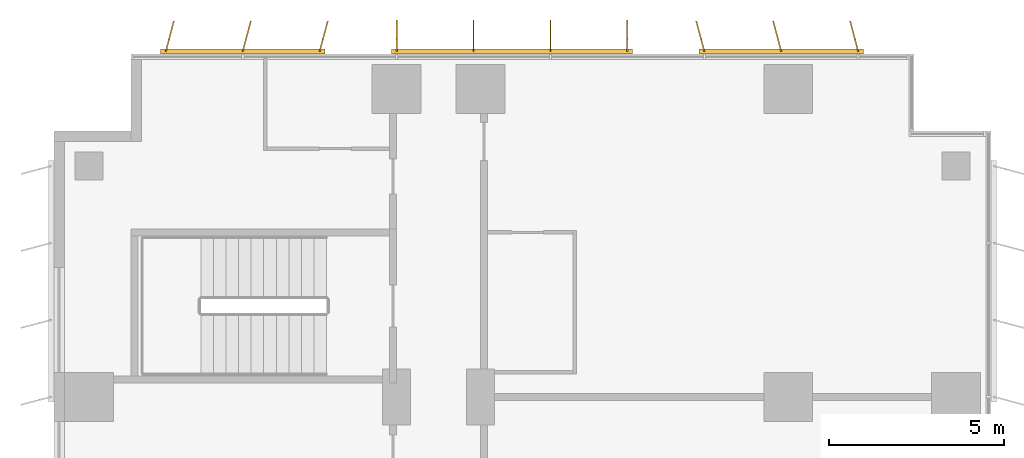
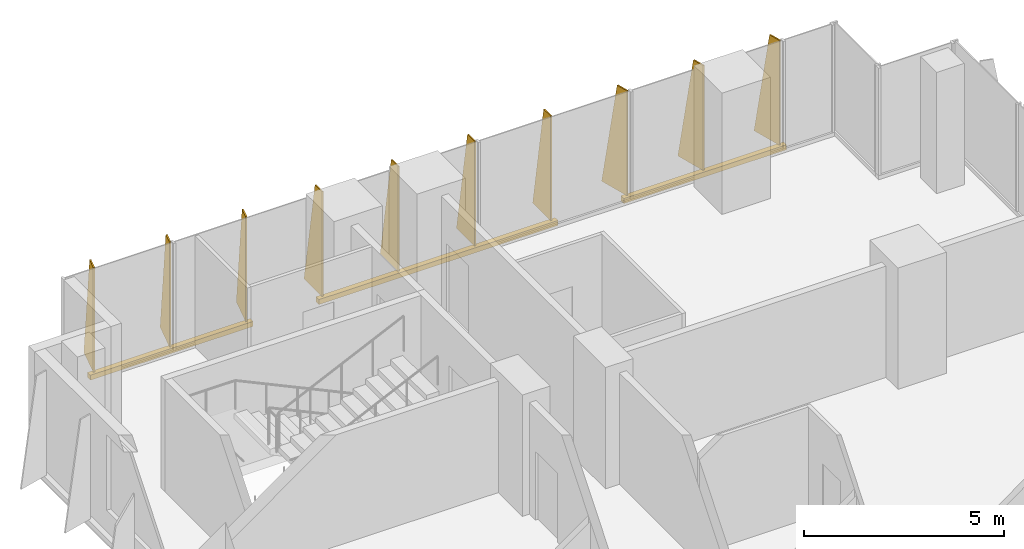
# One storey, part 24 of 24: 3 shading devices.
"""IFC4 building model written with IfcOpenShell, lengths in metres."""

from ifc_helpers import new_model, si_unit, direction, frame, origin, origin_2d, place, context, subcontext, project, spatial, polyline, rectangle, outline, extrude, source, transform, mapped, material, layer, layer_set, type_object, element, save


model = new_model("IFC4")

# Units and contexts
model_context = context("Model", 3, precision=1e-05, world=origin(), true_north=direction((0.0, 1.0)))
body_context = subcontext(model_context, "Body", "Model", "MODEL_VIEW")
ifc_project = project(units=[si_unit("LENGTHUNIT", "METRE"), si_unit("AREAUNIT", "SQUARE_METRE"), si_unit("VOLUMEUNIT", "CUBIC_METRE"), si_unit("PLANEANGLEUNIT", "RADIAN"), si_unit("MASSUNIT", "GRAM", prefix="KILO")], contexts=[model_context])

# Site, building, storey
site_placement = place(None, origin())
site = spatial("IfcSite", under=ifc_project, at=site_placement, CompositionType="ELEMENT")
building_placement = place(site_placement, origin())
building = spatial("IfcBuilding", under=site, at=building_placement, Name="Kemantara Hotel Tower", CompositionType="ELEMENT")
storey_placement = place(building_placement, frame((0.0, 0.0, 45.10009765625)))
storey = spatial("IfcBuildingStorey", under=building, at=storey_placement, Name="L09", CompositionType="ELEMENT", Elevation=45.10009765625)

# Shading devices
ifc_material = material(Name="Perforated aluminium plate 4 mm bronze anodised", Category="aluminium")
ifc_layer_1 = layer(ifc_material, 0.0400390625)
ifc_layer_set_1 = layer_set([ifc_layer_1], Name="Perforated aluminium plate 4 mm bronze anodised")
shading_device_type_1 = type_object("IfcShadingDeviceType", Name="SCREEN FIN CASSETTE, 3 BLADES AT -15.0 DEG, 3200 HIGH", PredefinedType="USERDEFINED", material=ifc_layer_set_1)
shared_shape_1 = source(origin(), body_context, "Body", "SweptSolid", [
    extrude(rectangle(XDim=4.699951171875, YDim=0.14990234375, at=origin_2d()), frame((2.199951171875, -0.074951171875, -0.14990234375), z_axis=(0.0, 0.0, 1.0), x_axis=(1.0, 0.0, 0.0)), (0.0, 0.0, 1.0), 0.14990234375),
    extrude(outline(polyline([(0.0, 0.0), (0.89990234375, 0.0), (0.35009765625, 3.199951171875), (0.0, 3.199951171875), (0.0, 0.0)])), frame((0.019287109375, -0.080078125, 0.0), z_axis=(-0.966437683387, 0.256901156343, 0.0), x_axis=(-0.256901156343, -0.966437683387, 0.0)), (0.0, 0.0, 1.0), 0.039794921875),
    extrude(outline(polyline([(0.0, 0.0), (0.89990234375, 0.0), (0.35009765625, 3.199951171875), (0.0, 3.199951171875), (0.0, 0.0)])), frame((2.21923828125, -0.080078125, 0.0), z_axis=(-0.966437683387, 0.256901156343, 0.0), x_axis=(-0.256901156343, -0.966437683387, 0.0)), (0.0, 0.0, 1.0), 0.039794921875),
    extrude(outline(polyline([(0.0, 0.0), (0.89990234375, 0.0), (0.35009765625, 3.199951171875), (0.0, 3.199951171875), (0.0, 0.0)])), frame((4.41943359375, -0.080078125, 0.0), z_axis=(-0.966837822169, 0.255391122837, 0.0), x_axis=(-0.255391122837, -0.966837822169, 0.0)), (0.0, 0.0, 1.0), 0.0400390625),
])
shading_device_1_placement = place(storey_placement, frame((7.60009765625, 81.199951171875, 0.099853515625), z_axis=(0.0, 0.0, 1.0), x_axis=(-1.0, 0.0, 0.0)))
element("IfcShadingDevice", 1, at=shading_device_1_placement, inside=storey, type_object=shading_device_type_1, Name="SCREEN FIN CASSETTE L09 T1-R11-3", ObjectType="SCREEN FIN", PredefinedType="USERDEFINED", context=body_context, shape_type="MappedRepresentation", body=[
    mapped(shared_shape_1, transform((0.0, 0.0, 0.0))),
])
ifc_layer_2 = layer(ifc_material, 0.0400390625)
ifc_layer_set_2 = layer_set([ifc_layer_2], Name="Perforated aluminium plate 4 mm bronze anodised")
shading_device_type_2 = type_object("IfcShadingDeviceType", Name="SCREEN FIN CASSETTE, 4 BLADES AT +0.0 DEG, 3200 HIGH", PredefinedType="USERDEFINED", material=ifc_layer_set_2)
shared_shape_2 = source(origin(), body_context, "Body", "SweptSolid", [
    extrude(rectangle(XDim=6.89990234375, YDim=0.14990234375, at=origin_2d()), frame((3.300048828125, -0.074951171875, -0.14990234375), z_axis=(0.0, 0.0, 1.0), x_axis=(1.0, 0.0, 0.0)), (0.0, 0.0, 1.0), 0.14990234375),
    extrude(outline(polyline([(0.0, 0.0), (0.89990234375, 0.0), (0.35009765625, 3.199951171875), (0.0, 3.199951171875), (0.0, 0.0)])), frame((0.02001953125, -0.074951171875, 0.0), z_axis=(-1.0, 0.0, 0.0), x_axis=(0.0, -1.0, 0.0)), (0.0, 0.0, 1.0), 0.0400390625),
    extrude(outline(polyline([(0.0, 0.0), (0.89990234375, 0.0), (0.35009765625, 3.199951171875), (0.0, 3.199951171875), (0.0, 0.0)])), frame((2.219970703125, -0.074951171875, 0.0), z_axis=(-1.0, 0.0, 0.0), x_axis=(0.0, -1.0, 0.0)), (0.0, 0.0, 1.0), 0.0400390625),
    extrude(outline(polyline([(0.0, 0.0), (0.89990234375, 0.0), (0.35009765625, 3.199951171875), (0.0, 3.199951171875), (0.0, 0.0)])), frame((4.419921875, -0.074951171875, 0.0), z_axis=(-1.0, 0.0, 0.0), x_axis=(0.0, -1.0, 0.0)), (0.0, 0.0, 1.0), 0.0400390625),
    extrude(outline(polyline([(0.0, 0.0), (0.89990234375, 0.0), (0.35009765625, 3.199951171875), (0.0, 3.199951171875), (0.0, 0.0)])), frame((6.6201171875, -0.074951171875, 0.0), z_axis=(-1.0, 0.0, 0.0), x_axis=(0.0, -1.0, 0.0)), (0.0, 0.0, 1.0), 0.0400390625),
])
shading_device_2_placement = place(storey_placement, frame((16.39990234375, 81.199951171875, 0.099853515625), z_axis=(0.0, 0.0, 1.0), x_axis=(-1.0, 0.0, 0.0)))
element("IfcShadingDevice", 2, at=shading_device_2_placement, inside=storey, type_object=shading_device_type_2, Name="SCREEN FIN CASSETTE L09 T1-R11-2", ObjectType="SCREEN FIN", PredefinedType="USERDEFINED", context=body_context, shape_type="MappedRepresentation", body=[
    mapped(shared_shape_2, transform((0.0, 0.0, 0.0))),
])
ifc_layer_3 = layer(ifc_material, 0.0400390625)
ifc_layer_set_3 = layer_set([ifc_layer_3], Name="Perforated aluminium plate 4 mm bronze anodised")
shading_device_type_3 = type_object("IfcShadingDeviceType", Name="SCREEN FIN CASSETTE, 3 BLADES AT +15.0 DEG, 3200 HIGH", PredefinedType="USERDEFINED", material=ifc_layer_set_3)
shared_shape_3 = source(origin(), body_context, "Body", "SweptSolid", [
    extrude(rectangle(XDim=4.699951171875, YDim=0.14990234375, at=origin_2d()), frame((2.199951171875, -0.074951171875, -0.14990234375), z_axis=(0.0, 0.0, 1.0), x_axis=(1.0, 0.0, 0.0)), (0.0, 0.0, 1.0), 0.14990234375),
    extrude(outline(polyline([(0.0, 0.0), (0.89990234375, 0.0), (0.35009765625, 3.199951171875), (0.0, 3.199951171875), (0.0, 0.0)])), frame((0.019287109375, -0.06982421875, 0.0), z_axis=(-0.966437683387, -0.256901156343, 0.0), x_axis=(0.256901156343, -0.966437683387, 0.0)), (0.0, 0.0, 1.0), 0.039794921875),
    extrude(outline(polyline([(0.0, 0.0), (0.89990234375, 0.0), (0.35009765625, 3.199951171875), (0.0, 3.199951171875), (0.0, 0.0)])), frame((2.21923828125, -0.06982421875, 0.0), z_axis=(-0.966437683387, -0.256901156343, 0.0), x_axis=(0.256901156343, -0.966437683387, 0.0)), (0.0, 0.0, 1.0), 0.039794921875),
    extrude(outline(polyline([(0.0, 0.0), (0.89990234375, 0.0), (0.35009765625, 3.199951171875), (0.0, 3.199951171875), (0.0, 0.0)])), frame((4.41943359375, -0.06982421875, 0.0), z_axis=(-0.966837822169, -0.255391122837, 0.0), x_axis=(0.255391122837, -0.966837822169, 0.0)), (0.0, 0.0, 1.0), 0.0400390625),
])
shading_device_3_placement = place(storey_placement, frame((23.0, 81.199951171875, 0.099853515625), z_axis=(0.0, 0.0, 1.0), x_axis=(-1.0, 0.0, 0.0)))
element("IfcShadingDevice", 3, at=shading_device_3_placement, inside=storey, type_object=shading_device_type_3, Name="SCREEN FIN CASSETTE L09 T1-R11-1", ObjectType="SCREEN FIN", PredefinedType="USERDEFINED", context=body_context, shape_type="MappedRepresentation", body=[
    mapped(shared_shape_3, transform((0.0, 0.0, 0.0))),
])

save(model, "model.ifc")
